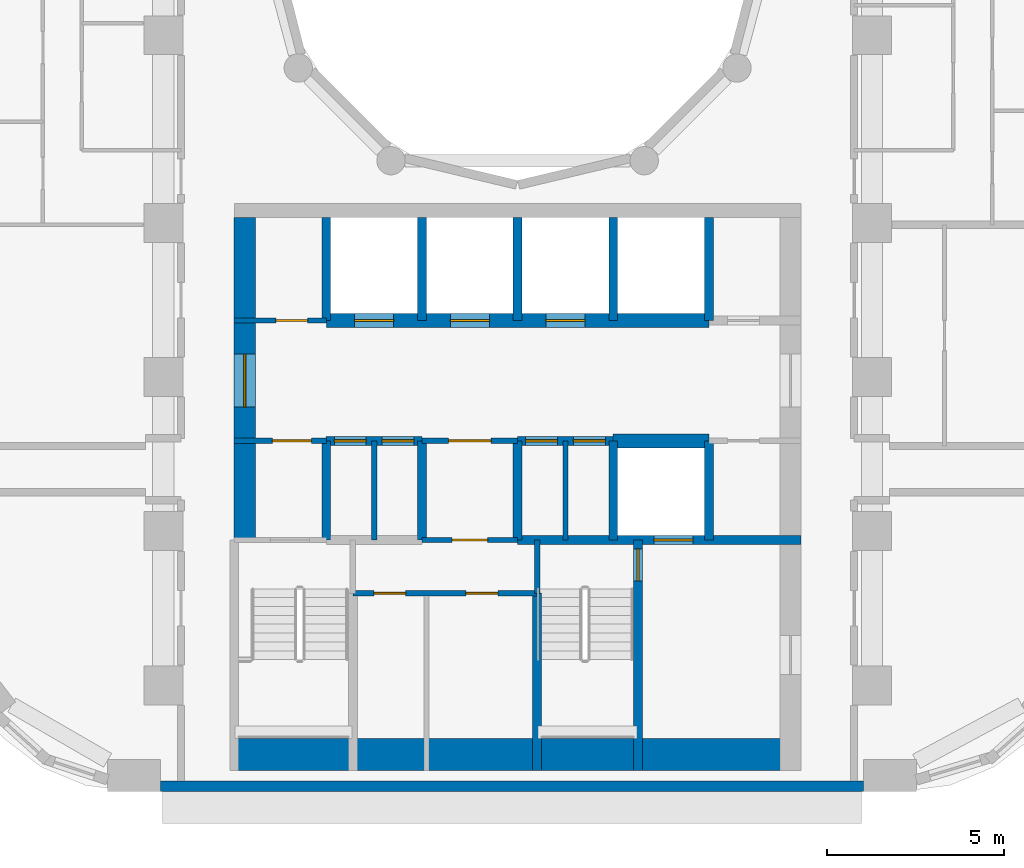
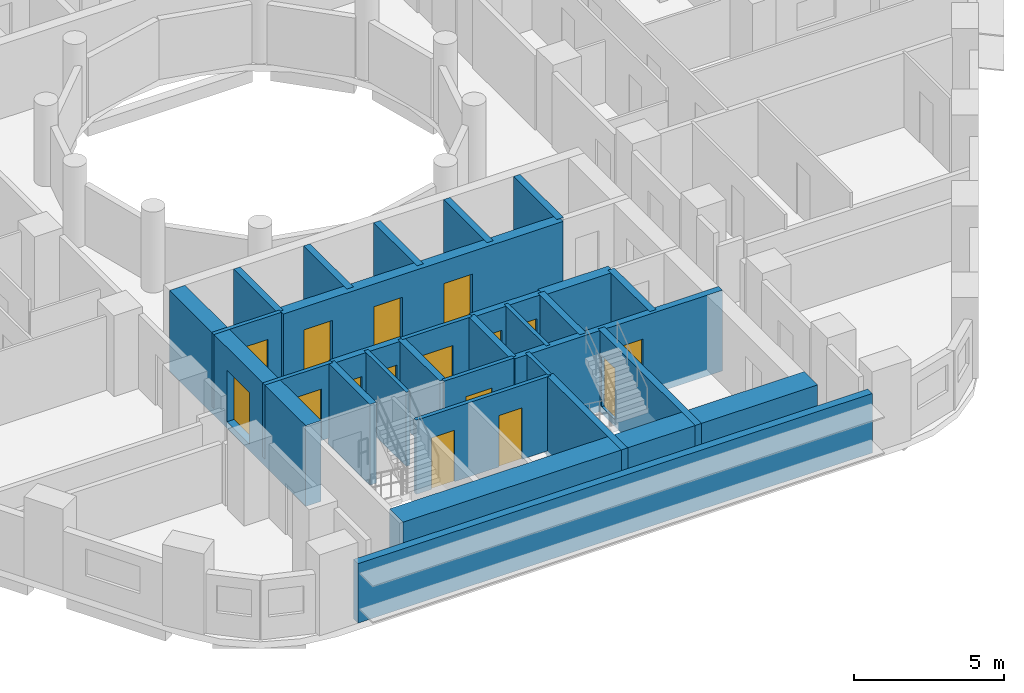
# One storey, part 3 of 12: 28 walls, 16 doors, 16 openings.
"""IFC4 building model written with IfcOpenShell, lengths in metres."""

from ifc_helpers import new_model, si_unit, direction, frame, frame_2d, origin, place, context, subcontext, project, spatial, rectangle, extrude, material, layer, layer_set, type_object, element, fill, save


model = new_model("IFC4")

# Units and contexts
model_context = context("Model", 3, precision=1e-05, world=origin(), true_north=direction((0.0, 1.0)))
body_context = subcontext(model_context, "Body", "Model", "MODEL_VIEW")
ifc_project = project(units=[si_unit("LENGTHUNIT", "METRE"), si_unit("AREAUNIT", "SQUARE_METRE"), si_unit("VOLUMEUNIT", "CUBIC_METRE"), si_unit("PLANEANGLEUNIT", "RADIAN"), si_unit("MASSUNIT", "GRAM", prefix="KILO")], contexts=[model_context])

# Site, building, storey
site_placement = place(None, origin())
site = spatial("IfcSite", under=ifc_project, at=site_placement, CompositionType="ELEMENT")
building_placement = place(site_placement, origin())
building = spatial("IfcBuilding", under=site, at=building_placement, Name="Nakaniwa Court", CompositionType="ELEMENT")
storey_placement = place(building_placement, frame((0.0, 0.0, 57.89990234375)))
storey = spatial("IfcBuildingStorey", under=building, at=storey_placement, Name="L15", CompositionType="ELEMENT", Elevation=57.89990234375)

# Wall
ifc_material_1 = material(Name="Charcoal ceramic cladding")
ifc_layer_1 = layer(ifc_material_1, 0.02, Name="Ceramic cladding")
ifc_material_2 = material(Name="Ventilated air cavity")
ifc_layer_2 = layer(ifc_material_2, 0.04, ventilated=True, Name="Ventilated cavity")
ifc_material_3 = material(Name="Mineral wool insulation")
ifc_layer_3 = layer(ifc_material_3, 0.1, Name="Insulation")
ifc_material_4 = material(Name="Cement bonded sheathing board")
ifc_layer_4 = layer(ifc_material_4, 0.012, Name="Sheathing")
ifc_material_5 = material(Name="Cold-formed galvanised stud frame with mineral wool infill")
ifc_layer_5 = layer(ifc_material_5, 0.1, Name="Stud frame")
ifc_material_6 = material(Name="Fire-rated gypsum plasterboard lining")
ifc_layer_6 = layer(ifc_material_6, 0.028, Name="Lining")
ifc_layer_set_1 = layer_set([ifc_layer_1, ifc_layer_2, ifc_layer_3, ifc_layer_4, ifc_layer_5, ifc_layer_6], Name="Charcoal ceramic faced external wall system")
wall_type_1 = type_object("IfcWallType", Name="Black ceramic faced external wall 300", PredefinedType="SOLIDWALL", material=ifc_layer_set_1)
wall_1_placement = place(storey_placement, frame((69.92138671875, 56.14990234375, 0.0), z_axis=(0.0, 0.0, 1.0), x_axis=(1.0, 0.0, 0.0)))
element("IfcWall", 1, at=wall_1_placement, inside=storey, type_object=wall_type_1, Name="L15 external wall 26", PredefinedType="SOLIDWALL", context=body_context, shape_type="SweptSolid", body=[
    extrude(rectangle(XDim=19.839599609375, YDim=0.300048828125, at=frame_2d((9.919921875, 0.0))), origin(), (0.0, 0.0, 1.0), 2.425048828125),
])

# Wall, opening, door
ifc_material_7 = material(Name="Blockwork partition", Category="masonry")
ifc_layer_7 = layer(ifc_material_7, 0.14990234375)
ifc_layer_set_2 = layer_set([ifc_layer_7], Name="Blockwork partition")
wall_type_2 = type_object("IfcWallType", Name="Blockwork partition 150", PredefinedType="PARTITIONING", material=ifc_layer_set_2)
wall_2_placement = place(storey_placement, frame((72.0, 69.300048828125, 0.0), z_axis=(0.0, 0.0, 1.0), x_axis=(1.0, 0.0, 0.0)))
wall_2 = element("IfcWall", 2, at=wall_2_placement, inside=storey, type_object=wall_type_2, Name="Partition PW-038", PredefinedType="PARTITIONING", context=body_context, shape_type="SweptSolid", body=[
    extrude(rectangle(XDim=2.60009765625, YDim=0.14990234375, at=frame_2d((1.300048828125, 0.0))), origin(), (0.0, 0.0, 1.0), 3.025146484375),
])
opening_1_placement = place(wall_2_placement, frame((1.175048828125, 0.0, 0.0)))
opening_1 = element("IfcOpeningElement", 3, at=opening_1_placement, cuts=wall_2, Name="Opening D-05-10", PredefinedType="OPENING", context=body_context, shape_type="SweptSolid", body=[
    extrude(rectangle(XDim=0.89990234375, YDim=2.10009765625, at=frame_2d((0.449951171875, 1.050048828125))), frame((0.0, 0.0849609375, 0.0), z_axis=(0.0, -1.0, 0.0), x_axis=(1.0, 0.0, 0.0)), (0.0, 0.0, 1.0), 0.169921875),
])
ifc_material_8 = material(Name="Fire rated steel door set", Category="steel")
door_type_1 = type_object("IfcDoorType", Name="Service room door 900", OperationType="NOTDEFINED", PredefinedType="DOOR", material=ifc_material_8)
door_1_placement = place(opening_1_placement, origin())
door_1 = element("IfcDoor", 4, at=door_1_placement, inside=storey, type_object=door_type_1, Name="Door D-05-10 L15-015", OperationType="SINGLE_SWING_RIGHT", OverallHeight=2.10009765625, OverallWidth=0.89990234375, PredefinedType="DOOR", context=body_context, shape_type="SweptSolid", body=[
    extrude(rectangle(XDim=0.89990234375, YDim=2.10009765625, at=frame_2d((0.449951171875, 1.050048828125))), frame((0.0, 0.02490234375, 0.0), z_axis=(0.0, -1.0, 0.0), x_axis=(1.0, 0.0, 0.0)), (0.0, 0.0, 1.0), 0.050048828125),
])
fill(opening_1, door_1)

wall_3_placement = place(storey_placement, frame((74.60302734375, 65.89990234375, 0.0), z_axis=(0.0, 0.0, 1.0), x_axis=(-1.0, 0.0, 0.0)))
wall_3 = element("IfcWall", 5, at=wall_3_placement, inside=storey, type_object=wall_type_2, Name="Partition PW-051", PredefinedType="PARTITIONING", context=body_context, shape_type="SweptSolid", body=[
    extrude(rectangle(XDim=2.60302734375, YDim=0.14990234375, at=frame_2d((1.301513671875, 0.0))), origin(), (0.0, 0.0, 1.0), 3.025146484375),
])
opening_2_placement = place(wall_3_placement, frame((0.427978515625, 0.0, 0.0)))
opening_2 = element("IfcOpeningElement", 6, at=opening_2_placement, cuts=wall_3, Name="Opening D-08-02", PredefinedType="OPENING", context=body_context, shape_type="SweptSolid", body=[
    extrude(rectangle(XDim=1.10009765625, YDim=2.10009765625, at=frame_2d((0.550048828125, 1.050048828125))), frame((0.0, 0.0849609375, 0.0), z_axis=(0.0, -1.0, 0.0), x_axis=(1.0, 0.0, 0.0)), (0.0, 0.0, 1.0), 0.169921875),
])
door_type_2 = type_object("IfcDoorType", Name="Stair lobby door 1100", OperationType="NOTDEFINED", PredefinedType="DOOR", material=ifc_material_8)
door_2_placement = place(opening_2_placement, origin())
door_2 = element("IfcDoor", 7, at=door_2_placement, inside=storey, type_object=door_type_2, Name="Door D-08-02 L15-017", OperationType="SINGLE_SWING_RIGHT", OverallHeight=2.10009765625, OverallWidth=1.10009765625, PredefinedType="DOOR", context=body_context, shape_type="SweptSolid", body=[
    extrude(rectangle(XDim=1.10009765625, YDim=2.10009765625, at=frame_2d((0.550048828125, 1.050048828125))), frame((0.0, 0.02490234375, 0.0), z_axis=(0.0, -1.0, 0.0), x_axis=(1.0, 0.0, 0.0)), (0.0, 0.0, 1.0), 0.050048828125),
])
fill(opening_2, door_2)

wall_4_placement = place(storey_placement, frame((80.0029296875, 65.89990234375, 0.0), z_axis=(0.0, 0.0, 1.0), x_axis=(-1.0, 0.0, 0.0)))
wall_4 = element("IfcWall", 8, at=wall_4_placement, inside=storey, type_object=wall_type_2, Name="Partition PW-052", PredefinedType="PARTITIONING", context=body_context, shape_type="SweptSolid", body=[
    extrude(rectangle(XDim=2.705810546875, YDim=0.14990234375, at=frame_2d((1.35302734375, 0.0))), origin(), (0.0, 0.0, 1.0), 3.025146484375),
])
opening_3_placement = place(wall_4_placement, frame((0.7529296875, 0.0, 0.0)))
opening_3 = element("IfcOpeningElement", 9, at=opening_3_placement, cuts=wall_4, Name="Opening D-06-02", PredefinedType="OPENING", context=body_context, shape_type="SweptSolid", body=[
    extrude(rectangle(XDim=1.199951171875, YDim=2.10009765625, at=frame_2d((0.60009765625, 1.050048828125))), frame((0.0, 0.0849609375, 0.0), z_axis=(0.0, -1.0, 0.0), x_axis=(1.0, 0.0, 0.0)), (0.0, 0.0, 1.0), 0.169921875),
])
ifc_material_9 = material(Name="Fire rated steel double door set", Category="steel")
door_type_3 = type_object("IfcDoorType", Name="Service passage double door 1200", OperationType="NOTDEFINED", PredefinedType="DOOR", material=ifc_material_9)
door_3_placement = place(opening_3_placement, origin())
door_3 = element("IfcDoor", 10, at=door_3_placement, inside=storey, type_object=door_type_3, Name="Door D-06-02 L15-020", OperationType="DOUBLE_DOOR_SINGLE_SWING", OverallHeight=2.10009765625, OverallWidth=1.199951171875, PredefinedType="DOOR", context=body_context, shape_type="SweptSolid", body=[
    extrude(rectangle(XDim=1.199951171875, YDim=2.10009765625, at=frame_2d((0.60009765625, 1.050048828125))), frame((0.0, 0.02490234375, 0.0), z_axis=(0.0, -1.0, 0.0), x_axis=(1.0, 0.0, 0.0)), (0.0, 0.0, 1.0), 0.050048828125),
])
fill(opening_3, door_3)

# Wall
wall_5_placement = place(storey_placement, frame((75.949951171875, 63.10009765625, 0.0), z_axis=(0.0, 0.0, 1.0), x_axis=(0.0, 1.0, 0.0)))
element("IfcWall", 11, at=wall_5_placement, inside=storey, type_object=wall_type_2, Name="Partition PW-058", PredefinedType="PARTITIONING", context=body_context, shape_type="SweptSolid", body=[
    extrude(rectangle(XDim=2.7998046875, YDim=0.14990234375, at=frame_2d((1.39990234375, 0.0))), origin(), (0.0, 0.0, 1.0), 3.025146484375),
])

# Wall, opening, door
wall_6_placement = place(storey_placement, frame((80.0, 63.10009765625, 0.0), z_axis=(0.0, 0.0, 1.0), x_axis=(-1.0, 0.0, 0.0)))
wall_6 = element("IfcWall", 12, at=wall_6_placement, inside=storey, type_object=wall_type_2, Name="Partition PW-061", PredefinedType="PARTITIONING", context=body_context, shape_type="SweptSolid", body=[
    extrude(rectangle(XDim=2.699951171875, YDim=0.14990234375, at=frame_2d((1.35009765625, 0.0))), origin(), (0.0, 0.0, 1.0), 3.025146484375),
])
opening_4_placement = place(wall_6_placement, frame((0.85009765625, 0.0, 0.0)))
opening_4 = element("IfcOpeningElement", 13, at=opening_4_placement, cuts=wall_6, Name="Opening D-23-02", PredefinedType="OPENING", context=body_context, shape_type="SweptSolid", body=[
    extrude(rectangle(XDim=1.0, YDim=2.10009765625, at=frame_2d((0.5, 1.050048828125))), frame((0.0, 0.0849609375, 0.0), z_axis=(0.0, -1.0, 0.0), x_axis=(1.0, 0.0, 0.0)), (0.0, 0.0, 1.0), 0.169921875),
])
door_type_4 = type_object("IfcDoorType", Name="Service room door 1000", OperationType="NOTDEFINED", PredefinedType="DOOR", material=ifc_material_8)
door_4_placement = place(opening_4_placement, origin())
door_4 = element("IfcDoor", 14, at=door_4_placement, inside=storey, type_object=door_type_4, Name="Door D-23-02 L15-024", OperationType="SINGLE_SWING_LEFT", OverallHeight=2.10009765625, OverallWidth=1.0, PredefinedType="DOOR", context=body_context, shape_type="SweptSolid", body=[
    extrude(rectangle(XDim=1.0, YDim=2.10009765625, at=frame_2d((0.5, 1.050048828125))), frame((0.0, 0.02490234375, 0.0), z_axis=(0.0, -1.0, 0.0), x_axis=(1.0, 0.0, 0.0)), (0.0, 0.0, 1.0), 0.050048828125),
])
fill(opening_4, door_4)

# Wall
wall_7_placement = place(storey_placement, frame((81.35009765625, 63.10009765625, 0.0), z_axis=(0.0, 0.0, 1.0), x_axis=(0.0, 1.0, 0.0)))
element("IfcWall", 15, at=wall_7_placement, inside=storey, type_object=wall_type_2, Name="Partition PW-062", PredefinedType="PARTITIONING", context=body_context, shape_type="SweptSolid", body=[
    extrude(rectangle(XDim=2.7998046875, YDim=0.14990234375, at=frame_2d((1.39990234375, 0.0))), origin(), (0.0, 0.0, 1.0), 3.025146484375),
])

# Wall, openings, doors
wall_8_placement = place(storey_placement, frame((80.550048828125, 61.60009765625, 0.0), z_axis=(0.0, 0.0, 1.0), x_axis=(-1.0, 0.0, 0.0)))
wall_8 = element("IfcWall", 16, at=wall_8_placement, inside=storey, type_object=wall_type_2, Name="Partition PW-069", PredefinedType="PARTITIONING", context=body_context, shape_type="SweptSolid", body=[
    extrude(rectangle(XDim=5.199951171875, YDim=0.14990234375, at=frame_2d((2.60009765625, 0.0))), origin(), (0.0, 0.0, 1.0), 3.025146484375),
])
opening_5_placement = place(wall_8_placement, frame((3.7099609375, 0.0, 0.0)))
opening_5 = element("IfcOpeningElement", 17, at=opening_5_placement, cuts=wall_8, Name="Opening D-05-17", PredefinedType="OPENING", context=body_context, shape_type="SweptSolid", body=[
    extrude(rectangle(XDim=0.89990234375, YDim=2.10009765625, at=frame_2d((0.449951171875, 1.050048828125))), frame((0.0, 0.0849609375, 0.0), z_axis=(0.0, -1.0, 0.0), x_axis=(1.0, 0.0, 0.0)), (0.0, 0.0, 1.0), 0.169921875),
])
opening_6_placement = place(wall_8_placement, frame((1.110107421875, 0.0, 0.0)))
opening_6 = element("IfcOpeningElement", 18, at=opening_6_placement, cuts=wall_8, Name="Opening D-05-18", PredefinedType="OPENING", context=body_context, shape_type="SweptSolid", body=[
    extrude(rectangle(XDim=0.89990234375, YDim=2.10009765625, at=frame_2d((0.449951171875, 1.050048828125))), frame((0.0, 0.0849609375, 0.0), z_axis=(0.0, -1.0, 0.0), x_axis=(1.0, 0.0, 0.0)), (0.0, 0.0, 1.0), 0.169921875),
])
door_5_placement = place(opening_5_placement, origin())
door_5 = element("IfcDoor", 19, at=door_5_placement, inside=storey, type_object=door_type_1, Name="Door D-05-17 L15-025", OperationType="SINGLE_SWING_RIGHT", OverallHeight=2.10009765625, OverallWidth=0.89990234375, PredefinedType="DOOR", context=body_context, shape_type="SweptSolid", body=[
    extrude(rectangle(XDim=0.89990234375, YDim=2.10009765625, at=frame_2d((0.449951171875, 1.050048828125))), frame((0.0, 0.02490234375, 0.0), z_axis=(0.0, -1.0, 0.0), x_axis=(1.0, 0.0, 0.0)), (0.0, 0.0, 1.0), 0.050048828125),
])
fill(opening_5, door_5)
door_6_placement = place(opening_6_placement, origin())
door_6 = element("IfcDoor", 20, at=door_6_placement, inside=storey, type_object=door_type_1, Name="Door D-05-18 L15-026", OperationType="SINGLE_SWING_LEFT", OverallHeight=2.10009765625, OverallWidth=0.89990234375, PredefinedType="DOOR", context=body_context, shape_type="SweptSolid", body=[
    extrude(rectangle(XDim=0.89990234375, YDim=2.10009765625, at=frame_2d((0.449951171875, 1.050048828125))), frame((0.0, 0.02490234375, 0.0), z_axis=(0.0, -1.0, 0.0), x_axis=(1.0, 0.0, 0.0)), (0.0, 0.0, 1.0), 0.050048828125),
])
fill(opening_6, door_6)

# Wall, opening, door
ifc_material_10 = material(Name="Concrete C100/115", Category="concrete")
ifc_layer_8 = layer(ifc_material_10, 0.60009765625)
ifc_layer_set_3 = layer_set([ifc_layer_8], Name="Concrete C100/115")
wall_type_3 = type_object("IfcWallType", Name="Concrete core side wall 600 C100", PredefinedType="SHEAR", material=ifc_layer_set_3)
wall_9_placement = place(storey_placement, frame((72.300048828125, 63.10009765625, -0.27490234375), z_axis=(0.0, 0.0, 1.0), x_axis=(0.0, 1.0, 0.0)))
wall_9 = element("IfcWall", 21, at=wall_9_placement, inside=storey, type_object=wall_type_3, Name="Core wall SW-39", PredefinedType="SHEAR", context=body_context, shape_type="SweptSolid", body=[
    extrude(rectangle(XDim=9.099853515625, YDim=0.60009765625, at=frame_2d((4.5498046875, 0.0))), origin(), (0.0, 0.0, 1.0), 3.300048828125),
])
opening_7_placement = place(wall_9_placement, frame((3.75, 0.0, 0.27490234375)))
opening_7 = element("IfcOpeningElement", 22, at=opening_7_placement, cuts=wall_9, Name="Opening D-07-04", PredefinedType="OPENING", context=body_context, shape_type="SweptSolid", body=[
    extrude(rectangle(XDim=1.5, YDim=2.10009765625, at=frame_2d((0.75, 1.050048828125))), frame((0.0, 0.31005859375, 0.0), z_axis=(0.0, -1.0, 0.0), x_axis=(1.0, 0.0, 0.0)), (0.0, 0.0, 1.0), 0.6201171875),
])
ifc_material_11 = material(Name="Glazed fire rated steel double door set", Category="steel")
door_type_5 = type_object("IfcDoorType", Name="Lobby double door 1500", OperationType="NOTDEFINED", PredefinedType="DOOR", material=ifc_material_11)
door_7_placement = place(opening_7_placement, origin())
door_7 = element("IfcDoor", 23, at=door_7_placement, inside=storey, type_object=door_type_5, Name="Door D-07-04 L15-060", OperationType="DOUBLE_DOOR_SINGLE_SWING", OverallHeight=2.10009765625, OverallWidth=1.5, PredefinedType="DOOR", context=body_context, shape_type="SweptSolid", body=[
    extrude(rectangle(XDim=1.5, YDim=2.10009765625, at=frame_2d((0.75, 1.050048828125))), frame((0.0, 0.02490234375, 0.0), z_axis=(0.0, -1.0, 0.0), x_axis=(1.0, 0.0, 0.0)), (0.0, 0.0, 1.0), 0.050048828125),
])
fill(opening_7, door_7)

# Wall, openings, doors
ifc_layer_9 = layer(ifc_material_10, 0.39990234375)
ifc_layer_set_4 = layer_set([ifc_layer_9], Name="Concrete C100/115")
wall_type_4 = type_object("IfcWallType", Name="Concrete core spine wall 400 C100", PredefinedType="SHEAR", material=ifc_layer_set_4)
wall_10_placement = place(storey_placement, frame((74.60009765625, 69.300048828125, -0.27490234375), z_axis=(0.0, 0.0, 1.0), x_axis=(1.0, 0.0, 0.0)))
wall_10 = element("IfcWall", 24, at=wall_10_placement, inside=storey, type_object=wall_type_4, Name="Core wall SW-42", PredefinedType="SHEAR", context=body_context, shape_type="SweptSolid", body=[
    extrude(rectangle(XDim=10.7998046875, YDim=0.39990234375, at=frame_2d((5.39990234375, 0.0))), origin(), (0.0, 0.0, 1.0), 3.300048828125),
])
opening_8_placement = place(wall_10_placement, frame((0.800048828125, 0.0, 0.27490234375)))
opening_8 = element("IfcOpeningElement", 25, at=opening_8_placement, cuts=wall_10, Name="Opening LD05", PredefinedType="OPENING", context=body_context, shape_type="SweptSolid", body=[
    extrude(rectangle(XDim=1.10009765625, YDim=2.10009765625, at=frame_2d((0.550048828125, 1.050048828125))), frame((0.0, 0.2099609375, 0.0), z_axis=(0.0, -1.0, 0.0), x_axis=(1.0, 0.0, 0.0)), (0.0, 0.0, 1.0), 0.419921875),
])
opening_9_placement = place(wall_10_placement, frame((3.5, 0.0, 0.27490234375)))
opening_9 = element("IfcOpeningElement", 26, at=opening_9_placement, cuts=wall_10, Name="Opening LD06", PredefinedType="OPENING", context=body_context, shape_type="SweptSolid", body=[
    extrude(rectangle(XDim=1.10009765625, YDim=2.10009765625, at=frame_2d((0.550048828125, 1.050048828125))), frame((0.0, 0.2099609375, 0.0), z_axis=(0.0, -1.0, 0.0), x_axis=(1.0, 0.0, 0.0)), (0.0, 0.0, 1.0), 0.419921875),
])
opening_10_placement = place(wall_10_placement, frame((6.199951171875, 0.0, 0.27490234375)))
opening_10 = element("IfcOpeningElement", 27, at=opening_10_placement, cuts=wall_10, Name="Opening LD07", PredefinedType="OPENING", context=body_context, shape_type="SweptSolid", body=[
    extrude(rectangle(XDim=1.10009765625, YDim=2.10009765625, at=frame_2d((0.550048828125, 1.050048828125))), frame((0.0, 0.2099609375, 0.0), z_axis=(0.0, -1.0, 0.0), x_axis=(1.0, 0.0, 0.0)), (0.0, 0.0, 1.0), 0.419921875),
])
ifc_material_12 = material(Name="Stainless steel sliding lift landing door", Category="steel")
door_type_6 = type_object("IfcDoorType", Name="Lift landing door 1100", OperationType="NOTDEFINED", PredefinedType="DOOR", material=ifc_material_12)
door_8_placement = place(opening_8_placement, origin())
door_8 = element("IfcDoor", 28, at=door_8_placement, inside=storey, type_object=door_type_6, Name="Lift landing door LD05 L15-005", OperationType="SLIDING_TO_LEFT", OverallHeight=2.10009765625, OverallWidth=1.10009765625, PredefinedType="DOOR", context=body_context, shape_type="SweptSolid", body=[
    extrude(rectangle(XDim=1.10009765625, YDim=2.10009765625, at=frame_2d((0.550048828125, 1.050048828125))), frame((0.0, 0.02490234375, 0.0), z_axis=(0.0, -1.0, 0.0), x_axis=(1.0, 0.0, 0.0)), (0.0, 0.0, 1.0), 0.050048828125),
])
fill(opening_8, door_8)
door_9_placement = place(opening_9_placement, origin())
door_9 = element("IfcDoor", 29, at=door_9_placement, inside=storey, type_object=door_type_6, Name="Lift landing door LD06 L15-006", OperationType="SLIDING_TO_LEFT", OverallHeight=2.10009765625, OverallWidth=1.10009765625, PredefinedType="DOOR", context=body_context, shape_type="SweptSolid", body=[
    extrude(rectangle(XDim=1.10009765625, YDim=2.10009765625, at=frame_2d((0.550048828125, 1.050048828125))), frame((0.0, 0.02490234375, 0.0), z_axis=(0.0, -1.0, 0.0), x_axis=(1.0, 0.0, 0.0)), (0.0, 0.0, 1.0), 0.050048828125),
])
fill(opening_9, door_9)
door_10_placement = place(opening_10_placement, origin())
door_10 = element("IfcDoor", 30, at=door_10_placement, inside=storey, type_object=door_type_6, Name="Lift landing door LD07 L15-007", OperationType="SLIDING_TO_LEFT", OverallHeight=2.10009765625, OverallWidth=1.10009765625, PredefinedType="DOOR", context=body_context, shape_type="SweptSolid", body=[
    extrude(rectangle(XDim=1.10009765625, YDim=2.10009765625, at=frame_2d((0.550048828125, 1.050048828125))), frame((0.0, 0.02490234375, 0.0), z_axis=(0.0, -1.0, 0.0), x_axis=(1.0, 0.0, 0.0)), (0.0, 0.0, 1.0), 0.050048828125),
])
fill(opening_10, door_10)

# Walls
wall_11_placement = place(storey_placement, frame((82.697021484375, 65.89990234375, -0.27490234375), z_axis=(0.0, 0.0, 1.0), x_axis=(1.0, 0.0, 0.0)))
element("IfcWall", 31, at=wall_11_placement, inside=storey, type_object=wall_type_4, Name="Core wall SW-56", PredefinedType="SHEAR", context=body_context, shape_type="SweptSolid", body=[
    extrude(rectangle(XDim=2.7060546875, YDim=0.39990234375, at=frame_2d((1.35302734375, 0.0))), origin(), (0.0, 0.0, 1.0), 3.300048828125),
])
ifc_layer_10 = layer(ifc_material_10, 0.14990234375)
ifc_layer_set_5 = layer_set([ifc_layer_10], Name="Concrete C100/115")
wall_type_5 = type_object("IfcWallType", Name="Concrete core wall 150 C100", PredefinedType="SHEAR", material=ifc_layer_set_5)
wall_12_placement = place(storey_placement, frame((80.550048828125, 61.596923828125, -0.27490234375), z_axis=(0.0, 0.0, 1.0), x_axis=(0.0, 1.0, 0.0)))
element("IfcWall", 32, at=wall_12_placement, inside=storey, type_object=wall_type_5, Name="Core wall SW-67", PredefinedType="SHEAR", context=body_context, shape_type="SweptSolid", body=[
    extrude(rectangle(XDim=1.503173828125, YDim=0.14990234375, at=frame_2d((0.75146484375, 0.0))), origin(), (0.0, 0.0, 1.0), 3.300048828125),
])
ifc_layer_11 = layer(ifc_material_10, 0.89990234375)
ifc_layer_set_6 = layer_set([ifc_layer_11], Name="Concrete C100/115")
wall_type_6 = type_object("IfcWallType", Name="Concrete core wall 900 C100", PredefinedType="SHEAR", material=ifc_layer_set_6)
wall_13_placement = place(storey_placement, frame((72.00390625, 57.050048828125, -0.27490234375), z_axis=(0.0, 0.0, 1.0), x_axis=(1.0, 0.0, 0.0)))
element("IfcWall", 33, at=wall_13_placement, inside=storey, type_object=wall_type_6, Name="Core wall SW-136", PredefinedType="SHEAR", context=body_context, shape_type="SweptSolid", body=[
    extrude(rectangle(XDim=15.9921875, YDim=0.89990234375, at=frame_2d((7.99609375, 0.0))), origin(), (0.0, 0.0, 1.0), 3.300048828125),
])
ifc_layer_12 = layer(ifc_material_10, 0.25)
ifc_layer_set_7 = layer_set([ifc_layer_12], Name="Concrete C100/115")
wall_type_7 = type_object("IfcWallType", Name="Concrete shaft wall 250 C100", PredefinedType="SHEAR", material=ifc_layer_set_7)
wall_14_placement = place(storey_placement, frame((74.60009765625, 63.10009765625, -0.27490234375), z_axis=(0.0, 0.0, 1.0), x_axis=(0.0, 1.0, 0.0)))
element("IfcWall", 34, at=wall_14_placement, inside=storey, type_object=wall_type_7, Name="Core wall SW-36", PredefinedType="SHEAR", context=body_context, shape_type="SweptSolid", body=[
    extrude(rectangle(XDim=2.7998046875, YDim=0.25, at=frame_2d((1.39990234375, 0.0))), origin(), (0.0, 0.0, 1.0), 3.300048828125),
])
wall_15_placement = place(storey_placement, frame((74.60009765625, 69.300048828125, -0.27490234375), z_axis=(0.0, 0.0, 1.0), x_axis=(0.0, 1.0, 0.0)))
element("IfcWall", 35, at=wall_15_placement, inside=storey, type_object=wall_type_7, Name="Core wall SW-37", PredefinedType="SHEAR", context=body_context, shape_type="SweptSolid", body=[
    extrude(rectangle(XDim=2.89990234375, YDim=0.25, at=frame_2d((1.449951171875, 0.0))), origin(), (0.0, 0.0, 1.0), 3.300048828125),
])
wall_16_placement = place(storey_placement, frame((77.300048828125, 63.10009765625, -0.27490234375), z_axis=(0.0, 0.0, 1.0), x_axis=(0.0, 1.0, 0.0)))
element("IfcWall", 36, at=wall_16_placement, inside=storey, type_object=wall_type_7, Name="Core wall SW-40", PredefinedType="SHEAR", context=body_context, shape_type="SweptSolid", body=[
    extrude(rectangle(XDim=2.7998046875, YDim=0.25, at=frame_2d((1.39990234375, 0.0))), origin(), (0.0, 0.0, 1.0), 3.300048828125),
])
wall_17_placement = place(storey_placement, frame((77.300048828125, 69.300048828125, -0.27490234375), z_axis=(0.0, 0.0, 1.0), x_axis=(0.0, 1.0, 0.0)))
element("IfcWall", 37, at=wall_17_placement, inside=storey, type_object=wall_type_7, Name="Core wall SW-41", PredefinedType="SHEAR", context=body_context, shape_type="SweptSolid", body=[
    extrude(rectangle(XDim=2.89990234375, YDim=0.25, at=frame_2d((1.449951171875, 0.0))), origin(), (0.0, 0.0, 1.0), 3.300048828125),
])
wall_18_placement = place(storey_placement, frame((80.0, 63.10009765625, -0.27490234375), z_axis=(0.0, 0.0, 1.0), x_axis=(0.0, 1.0, 0.0)))
element("IfcWall", 38, at=wall_18_placement, inside=storey, type_object=wall_type_7, Name="Core wall SW-43", PredefinedType="SHEAR", context=body_context, shape_type="SweptSolid", body=[
    extrude(rectangle(XDim=2.7998046875, YDim=0.25, at=frame_2d((1.39990234375, 0.0))), origin(), (0.0, 0.0, 1.0), 3.300048828125),
])
wall_19_placement = place(storey_placement, frame((80.0, 69.300048828125, -0.27490234375), z_axis=(0.0, 0.0, 1.0), x_axis=(0.0, 1.0, 0.0)))
element("IfcWall", 39, at=wall_19_placement, inside=storey, type_object=wall_type_7, Name="Core wall SW-44", PredefinedType="SHEAR", context=body_context, shape_type="SweptSolid", body=[
    extrude(rectangle(XDim=2.89990234375, YDim=0.25, at=frame_2d((1.449951171875, 0.0))), origin(), (0.0, 0.0, 1.0), 3.300048828125),
])
wall_20_placement = place(storey_placement, frame((82.699951171875, 63.10009765625, -0.27490234375), z_axis=(0.0, 0.0, 1.0), x_axis=(0.0, 1.0, 0.0)))
element("IfcWall", 40, at=wall_20_placement, inside=storey, type_object=wall_type_7, Name="Core wall SW-45", PredefinedType="SHEAR", context=body_context, shape_type="SweptSolid", body=[
    extrude(rectangle(XDim=2.7998046875, YDim=0.25, at=frame_2d((1.39990234375, 0.0))), origin(), (0.0, 0.0, 1.0), 3.300048828125),
])
wall_21_placement = place(storey_placement, frame((82.699951171875, 69.300048828125, -0.27490234375), z_axis=(0.0, 0.0, 1.0), x_axis=(0.0, 1.0, 0.0)))
element("IfcWall", 41, at=wall_21_placement, inside=storey, type_object=wall_type_7, Name="Core wall SW-46", PredefinedType="SHEAR", context=body_context, shape_type="SweptSolid", body=[
    extrude(rectangle(XDim=2.89990234375, YDim=0.25, at=frame_2d((1.449951171875, 0.0))), origin(), (0.0, 0.0, 1.0), 3.300048828125),
])
wall_22_placement = place(storey_placement, frame((85.39990234375, 63.10009765625, -0.27490234375), z_axis=(0.0, 0.0, 1.0), x_axis=(0.0, 1.0, 0.0)))
element("IfcWall", 42, at=wall_22_placement, inside=storey, type_object=wall_type_7, Name="Core wall SW-47", PredefinedType="SHEAR", context=body_context, shape_type="SweptSolid", body=[
    extrude(rectangle(XDim=2.7998046875, YDim=0.25, at=frame_2d((1.39990234375, 0.0))), origin(), (0.0, 0.0, 1.0), 3.300048828125),
])
wall_23_placement = place(storey_placement, frame((85.39990234375, 69.300048828125, -0.27490234375), z_axis=(0.0, 0.0, 1.0), x_axis=(0.0, 1.0, 0.0)))
element("IfcWall", 43, at=wall_23_placement, inside=storey, type_object=wall_type_7, Name="Core wall SW-48", PredefinedType="SHEAR", context=body_context, shape_type="SweptSolid", body=[
    extrude(rectangle(XDim=2.89990234375, YDim=0.25, at=frame_2d((1.449951171875, 0.0))), origin(), (0.0, 0.0, 1.0), 3.300048828125),
])

# Wall, openings, doors
wall_24_placement = place(storey_placement, frame((77.302978515625, 65.89990234375, -0.27490234375), z_axis=(0.0, 0.0, 1.0), x_axis=(-1.0, 0.0, 0.0)))
wall_24 = element("IfcWall", 44, at=wall_24_placement, inside=storey, type_object=wall_type_7, Name="Core wall SW-54", PredefinedType="SHEAR", context=body_context, shape_type="SweptSolid", body=[
    extrude(rectangle(XDim=2.7060546875, YDim=0.25, at=frame_2d((1.35302734375, 0.0))), origin(), (0.0, 0.0, 1.0), 3.300048828125),
])
opening_11_placement = place(wall_24_placement, frame((1.577880859375, 0.0, 0.27490234375)))
opening_11 = element("IfcOpeningElement", 45, at=opening_11_placement, cuts=wall_24, Name="Opening D-05-12", PredefinedType="OPENING", context=body_context, shape_type="SweptSolid", body=[
    extrude(rectangle(XDim=0.89990234375, YDim=2.10009765625, at=frame_2d((0.449951171875, 1.050048828125))), frame((0.0, 0.135009765625, 0.0), z_axis=(0.0, -1.0, 0.0), x_axis=(1.0, 0.0, 0.0)), (0.0, 0.0, 1.0), 0.27001953125),
])
opening_12_placement = place(wall_24_placement, frame((0.22802734375, 0.0, 0.27490234375)))
opening_12 = element("IfcOpeningElement", 46, at=opening_12_placement, cuts=wall_24, Name="Opening D-05-13", PredefinedType="OPENING", context=body_context, shape_type="SweptSolid", body=[
    extrude(rectangle(XDim=0.89990234375, YDim=2.10009765625, at=frame_2d((0.449951171875, 1.050048828125))), frame((0.0, 0.135009765625, 0.0), z_axis=(0.0, -1.0, 0.0), x_axis=(1.0, 0.0, 0.0)), (0.0, 0.0, 1.0), 0.27001953125),
])
door_11_placement = place(opening_11_placement, origin())
door_11 = element("IfcDoor", 47, at=door_11_placement, inside=storey, type_object=door_type_1, Name="Door D-05-12 L15-018", OperationType="SINGLE_SWING_LEFT", OverallHeight=2.10009765625, OverallWidth=0.89990234375, PredefinedType="DOOR", context=body_context, shape_type="SweptSolid", body=[
    extrude(rectangle(XDim=0.89990234375, YDim=2.10009765625, at=frame_2d((0.449951171875, 1.050048828125))), frame((0.0, 0.02490234375, 0.0), z_axis=(0.0, -1.0, 0.0), x_axis=(1.0, 0.0, 0.0)), (0.0, 0.0, 1.0), 0.050048828125),
])
fill(opening_11, door_11)
door_12_placement = place(opening_12_placement, origin())
door_12 = element("IfcDoor", 48, at=door_12_placement, inside=storey, type_object=door_type_1, Name="Door D-05-13 L15-019", OperationType="SINGLE_SWING_RIGHT", OverallHeight=2.10009765625, OverallWidth=0.89990234375, PredefinedType="DOOR", context=body_context, shape_type="SweptSolid", body=[
    extrude(rectangle(XDim=0.89990234375, YDim=2.10009765625, at=frame_2d((0.449951171875, 1.050048828125))), frame((0.0, 0.02490234375, 0.0), z_axis=(0.0, -1.0, 0.0), x_axis=(1.0, 0.0, 0.0)), (0.0, 0.0, 1.0), 0.050048828125),
])
fill(opening_12, door_12)

wall_25_placement = place(storey_placement, frame((82.702880859375, 65.89990234375, -0.27490234375), z_axis=(0.0, 0.0, 1.0), x_axis=(-1.0, 0.0, 0.0)))
wall_25 = element("IfcWall", 49, at=wall_25_placement, inside=storey, type_object=wall_type_7, Name="Core wall SW-55", PredefinedType="SHEAR", context=body_context, shape_type="SweptSolid", body=[
    extrude(rectangle(XDim=2.705810546875, YDim=0.25, at=frame_2d((1.35302734375, 0.0))), origin(), (0.0, 0.0, 1.0), 3.300048828125),
])
opening_13_placement = place(wall_25_placement, frame((1.577880859375, 0.0, 0.27490234375)))
opening_13 = element("IfcOpeningElement", 50, at=opening_13_placement, cuts=wall_25, Name="Opening D-05-14", PredefinedType="OPENING", context=body_context, shape_type="SweptSolid", body=[
    extrude(rectangle(XDim=0.89990234375, YDim=2.10009765625, at=frame_2d((0.449951171875, 1.050048828125))), frame((0.0, 0.135009765625, 0.0), z_axis=(0.0, -1.0, 0.0), x_axis=(1.0, 0.0, 0.0)), (0.0, 0.0, 1.0), 0.27001953125),
])
opening_14_placement = place(wall_25_placement, frame((0.22802734375, 0.0, 0.27490234375)))
opening_14 = element("IfcOpeningElement", 51, at=opening_14_placement, cuts=wall_25, Name="Opening D-05-15", PredefinedType="OPENING", context=body_context, shape_type="SweptSolid", body=[
    extrude(rectangle(XDim=0.89990234375, YDim=2.10009765625, at=frame_2d((0.449951171875, 1.050048828125))), frame((0.0, 0.135009765625, 0.0), z_axis=(0.0, -1.0, 0.0), x_axis=(1.0, 0.0, 0.0)), (0.0, 0.0, 1.0), 0.27001953125),
])
door_13_placement = place(opening_13_placement, origin())
door_13 = element("IfcDoor", 52, at=door_13_placement, inside=storey, type_object=door_type_1, Name="Door D-05-14 L15-021", OperationType="SINGLE_SWING_RIGHT", OverallHeight=2.10009765625, OverallWidth=0.89990234375, PredefinedType="DOOR", context=body_context, shape_type="SweptSolid", body=[
    extrude(rectangle(XDim=0.89990234375, YDim=2.10009765625, at=frame_2d((0.449951171875, 1.050048828125))), frame((0.0, 0.02490234375, 0.0), z_axis=(0.0, -1.0, 0.0), x_axis=(1.0, 0.0, 0.0)), (0.0, 0.0, 1.0), 0.050048828125),
])
fill(opening_13, door_13)
door_14_placement = place(opening_14_placement, origin())
door_14 = element("IfcDoor", 53, at=door_14_placement, inside=storey, type_object=door_type_1, Name="Door D-05-15 L15-022", OperationType="SINGLE_SWING_LEFT", OverallHeight=2.10009765625, OverallWidth=0.89990234375, PredefinedType="DOOR", context=body_context, shape_type="SweptSolid", body=[
    extrude(rectangle(XDim=0.89990234375, YDim=2.10009765625, at=frame_2d((0.449951171875, 1.050048828125))), frame((0.0, 0.02490234375, 0.0), z_axis=(0.0, -1.0, 0.0), x_axis=(1.0, 0.0, 0.0)), (0.0, 0.0, 1.0), 0.050048828125),
])
fill(opening_14, door_14)

# Wall, opening, door
wall_26_placement = place(storey_placement, frame((80.0, 63.10009765625, -0.27490234375), z_axis=(0.0, 0.0, 1.0), x_axis=(1.0, 0.0, 0.0)))
wall_26 = element("IfcWall", 54, at=wall_26_placement, inside=storey, type_object=wall_type_7, Name="Core wall SW-60", PredefinedType="SHEAR", context=body_context, shape_type="SweptSolid", body=[
    extrude(rectangle(XDim=8.0, YDim=0.25, at=frame_2d((4.0, 0.0))), origin(), (0.0, 0.0, 1.0), 3.300048828125),
])
opening_15_placement = place(wall_26_placement, frame((3.84912109375, 0.0, 0.27490234375)))
opening_15 = element("IfcOpeningElement", 55, at=opening_15_placement, cuts=wall_26, Name="Opening LD08", PredefinedType="OPENING", context=body_context, shape_type="SweptSolid", body=[
    extrude(rectangle(XDim=1.10009765625, YDim=2.10009765625, at=frame_2d((0.550048828125, 1.050048828125))), frame((0.0, 0.135009765625, 0.0), z_axis=(0.0, -1.0, 0.0), x_axis=(1.0, 0.0, 0.0)), (0.0, 0.0, 1.0), 0.27001953125),
])
door_15_placement = place(opening_15_placement, origin())
door_15 = element("IfcDoor", 56, at=door_15_placement, inside=storey, type_object=door_type_6, Name="Lift landing door LD08 L15-008", OperationType="SLIDING_TO_LEFT", OverallHeight=2.10009765625, OverallWidth=1.10009765625, PredefinedType="DOOR", context=body_context, shape_type="SweptSolid", body=[
    extrude(rectangle(XDim=1.10009765625, YDim=2.10009765625, at=frame_2d((0.550048828125, 1.050048828125))), frame((0.0, 0.02490234375, 0.0), z_axis=(0.0, -1.0, 0.0), x_axis=(1.0, 0.0, 0.0)), (0.0, 0.0, 1.0), 0.050048828125),
])
fill(opening_15, door_15)

wall_27_placement = place(storey_placement, frame((83.39990234375, 63.10009765625, -0.27490234375), z_axis=(0.0, 0.0, 1.0), x_axis=(0.0, -1.0, 0.0)))
wall_27 = element("IfcWall", 57, at=wall_27_placement, inside=storey, type_object=wall_type_7, Name="Core wall SW-66", PredefinedType="SHEAR", context=body_context, shape_type="SweptSolid", body=[
    extrude(rectangle(XDim=6.5, YDim=0.25, at=frame_2d((3.25, 0.0))), origin(), (0.0, 0.0, 1.0), 3.300048828125),
])
opening_16_placement = place(wall_27_placement, frame((0.25, 0.0, 0.27490234375)))
opening_16 = element("IfcOpeningElement", 58, at=opening_16_placement, cuts=wall_27, Name="Opening D-11-02", PredefinedType="OPENING", context=body_context, shape_type="SweptSolid", body=[
    extrude(rectangle(XDim=0.89990234375, YDim=2.10009765625, at=frame_2d((0.449951171875, 1.050048828125))), frame((0.0, 0.135009765625, 0.0), z_axis=(0.0, -1.0, 0.0), x_axis=(1.0, 0.0, 0.0)), (0.0, 0.0, 1.0), 0.27001953125),
])
door_type_7 = type_object("IfcDoorType", Name="Stair door 900", OperationType="NOTDEFINED", PredefinedType="DOOR", material=ifc_material_8)
door_16_placement = place(opening_16_placement, origin())
door_16 = element("IfcDoor", 59, at=door_16_placement, inside=storey, type_object=door_type_7, Name="Door D-11-02 L15-028", OperationType="SINGLE_SWING_RIGHT", OverallHeight=2.10009765625, OverallWidth=0.89990234375, PredefinedType="DOOR", context=body_context, shape_type="SweptSolid", body=[
    extrude(rectangle(XDim=0.89990234375, YDim=2.10009765625, at=frame_2d((0.449951171875, 1.050048828125))), frame((0.0, 0.02490234375, 0.0), z_axis=(0.0, -1.0, 0.0), x_axis=(1.0, 0.0, 0.0)), (0.0, 0.0, 1.0), 0.050048828125),
])
fill(opening_16, door_16)

# Wall
wall_28_placement = place(storey_placement, frame((80.550048828125, 56.60009765625, -0.27490234375), z_axis=(0.0, 0.0, 1.0), x_axis=(0.0, 1.0, 0.0)))
element("IfcWall", 60, at=wall_28_placement, inside=storey, type_object=wall_type_7, Name="Core wall SW-68", PredefinedType="SHEAR", context=body_context, shape_type="SweptSolid", body=[
    extrude(rectangle(XDim=5.0029296875, YDim=0.25, at=frame_2d((2.50146484375, 0.0))), origin(), (0.0, 0.0, 1.0), 3.300048828125),
])

save(model, "model.ifc")
